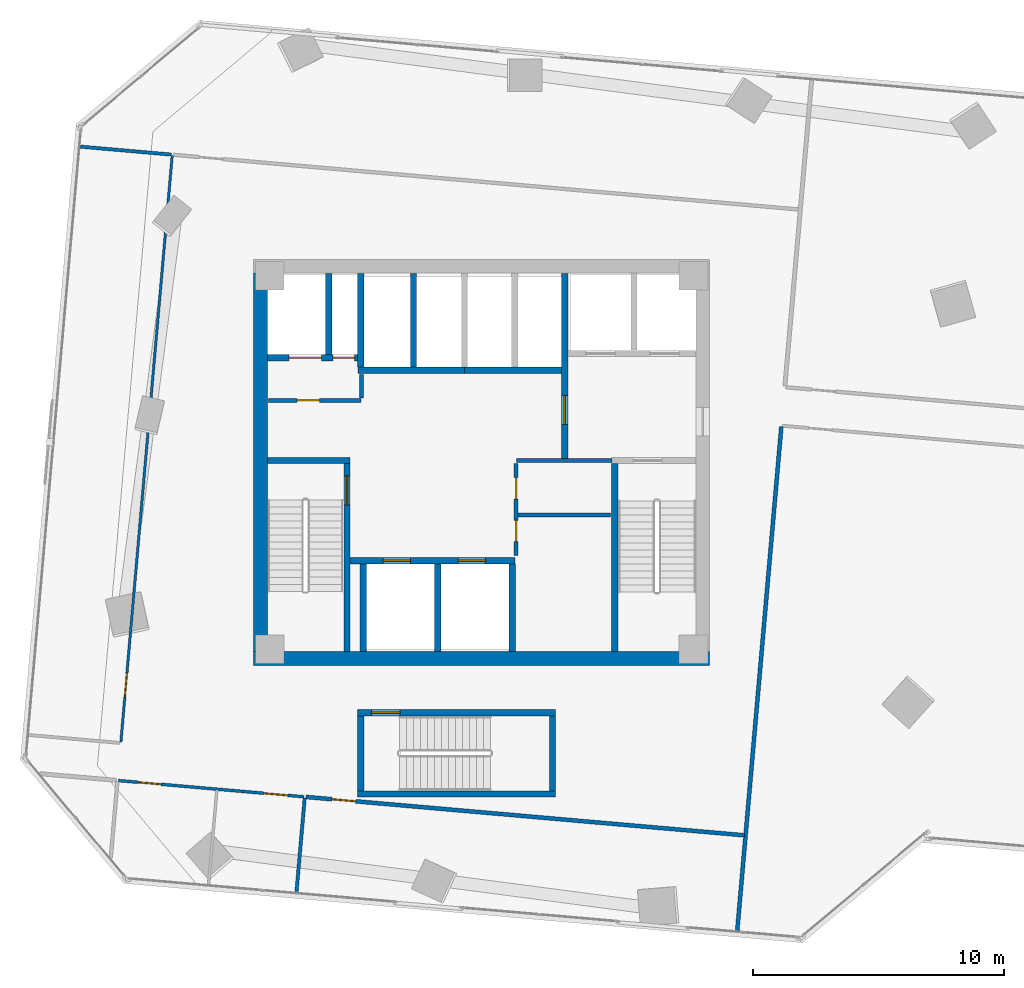
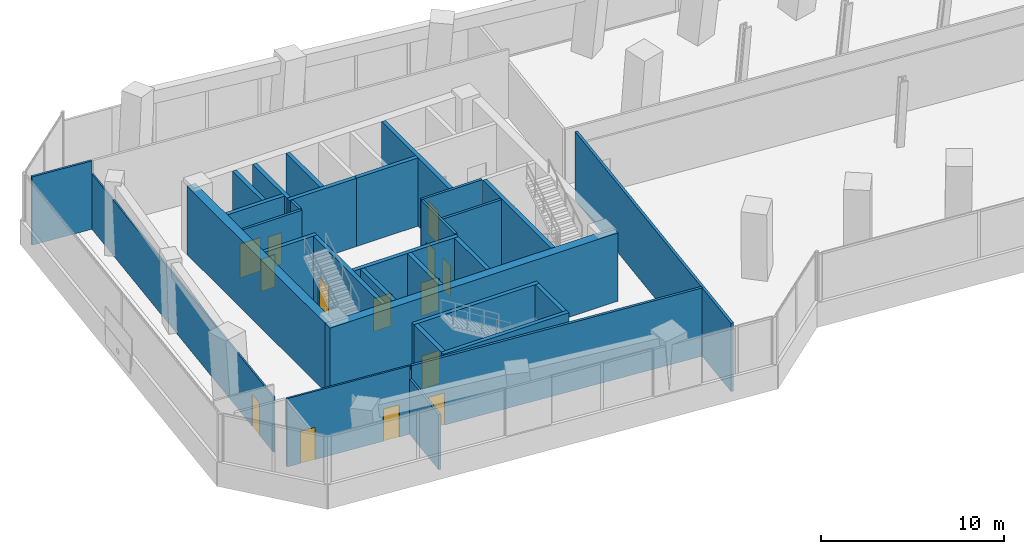
# One storey, part 19 of 23: 31 walls, 14 doors, 14 openings.
"""IFC4 building model written with IfcOpenShell, lengths in metres."""

import ifcopenshell
import ifcopenshell.guid

model = None  # the IFC model being written
_history = None  # IfcOwnerHistory: only IFC2X3 demands one
_inside = {}  # id of a spatial element -> (the spatial element, [elements in it])
_under = {}  # id of a project, library or spatial element -> (it, [spatial elements below it])
_declared = {}  # id of a project -> (the project, [libraries it declares])
_typed = {}  # id of a type object -> (the type object, [elements of that type])
_made_of = {}  # id of a material, layer set ... -> (it, [elements and type objects made of it])


def new_model(schema):
    """Start an empty IFC model of exactly this schema.

    Asked for "IFC4X3", IfcOpenShell would pick the latest addendum, in which some entities
    have other attributes; the version numbers below select the first issue.
    IFC2X3 requires an IfcOwnerHistory on every rooted entity: one is made here for all.
    """
    global model, _history
    if schema == "IFC4X3":
        model = ifcopenshell.file(schema_version=(4, 3, 0, 0))
    else:
        model = ifcopenshell.file(schema=schema)
    _inside.clear()
    _under.clear()
    _declared.clear()
    _typed.clear()
    _made_of.clear()
    _history = None
    if model.schema == "IFC2X3":
        org = make("IfcOrganization", Name="unknown")
        user = make(
            "IfcPersonAndOrganization",
            ThePerson=make("IfcPerson", FamilyName="unknown"),
            TheOrganization=org,
        )
        app = make(
            "IfcApplication",
            ApplicationDeveloper=org,
            Version="unknown",
            ApplicationFullName="unknown",
            ApplicationIdentifier="unknown",
        )
        _history = make(
            "IfcOwnerHistory",
            OwningUser=user,
            OwningApplication=app,
            ChangeAction="ADDED",
            CreationDate=0,
        )
    return model


def make(cls, **values):
    """One entity of the class cls with the attributes given. An attribute that is None is left unset."""
    return model.create_entity(
        cls, **{name: value for name, value in values.items() if value is not None}
    )


def rooted(cls, **values):
    """An entity with a GlobalId (a new one), such as an element, a storey or a relation."""
    return make(cls, GlobalId=ifcopenshell.guid.new(), OwnerHistory=_history, **values)


def si_unit(unit_type, name, prefix=None):
    """IfcSIUnit, for example si_unit("LENGTHUNIT", "METRE", prefix="MILLI")."""
    return make("IfcSIUnit", UnitType=unit_type, Prefix=prefix, Name=name)


def assignment(units):
    """IfcUnitAssignment: the units of a project."""
    return None if units is None else make("IfcUnitAssignment", Units=units)


def point(xyz):
    """IfcCartesianPoint."""
    return None if xyz is None else make("IfcCartesianPoint", Coordinates=xyz)


def direction(xyz):
    """IfcDirection."""
    return None if xyz is None else make("IfcDirection", DirectionRatios=xyz)


def frame(location, z_axis=None, x_axis=None):
    """IfcAxis2Placement3D, a coordinate frame: its origin and axes. An axis left out is left unset."""
    return make(
        "IfcAxis2Placement3D",
        Location=point(location),
        Axis=direction(z_axis),
        RefDirection=direction(x_axis),
    )


def frame_2d(location, x_axis=None):
    """IfcAxis2Placement2D, a coordinate frame in the plane: its origin and x axis."""
    return make(
        "IfcAxis2Placement2D", Location=point(location), RefDirection=direction(x_axis)
    )


def origin():
    """The frame at (0, 0, 0) with its axes left unset."""
    return frame((0.0, 0.0, 0.0))


def place(relative_to, where):
    """IfcLocalPlacement: puts the frame where relative to a parent placement (None: the world)."""
    return make(
        "IfcLocalPlacement", PlacementRelTo=relative_to, RelativePlacement=where
    )


def context(
    kind, dimensions, precision=None, world=None, true_north=None, identifier=None
):
    """IfcGeometricRepresentationContext, for example the 3D "Model" context."""
    return make(
        "IfcGeometricRepresentationContext",
        ContextIdentifier=identifier,
        ContextType=kind,
        CoordinateSpaceDimension=dimensions,
        Precision=precision,
        WorldCoordinateSystem=world,
        TrueNorth=true_north,
    )


def subcontext(parent, identifier, kind, view, scale=None):
    """IfcGeometricRepresentationSubContext, for example "Body" below "Model"."""
    return make(
        "IfcGeometricRepresentationSubContext",
        ContextIdentifier=identifier,
        ContextType=kind,
        ParentContext=parent,
        TargetScale=scale,
        TargetView=view,
    )


def project(units=None, contexts=None):
    """IfcProject with its units and contexts."""
    return rooted(
        "IfcProject",
        Name="project",
        RepresentationContexts=contexts,
        UnitsInContext=assignment(units),
    )


def spatial(cls, under=None, at=None, **own):
    """A site, building, storey or space (cls), placed at a placement, below another one or the project."""
    s = rooted(cls, ObjectPlacement=at, **own)
    if under is not None:
        _under.setdefault(under.id(), (under, []))[1].append(s)
    return s


def profile(cls, at=None, kind="AREA", **sizes):
    """A parametric profile (cls). Its sizes go by their IFC names, for example OverallWidth=200.0."""
    return make(cls, ProfileType=kind, Position=at, **sizes)


def rectangle(**sizes):
    """IfcRectangleProfileDef."""
    return profile("IfcRectangleProfileDef", **sizes)


def extrude(swept, where, along, depth):
    """IfcExtrudedAreaSolid: the profile swept, set in the frame where, extruded along a direction by depth."""
    return make(
        "IfcExtrudedAreaSolid",
        SweptArea=swept,
        Position=where,
        ExtrudedDirection=direction(along),
        Depth=depth,
    )


def shape(context_of_items, identifier, shape_type, items):
    """IfcShapeRepresentation: the items that make up one representation, for example the "Body"."""
    return make(
        "IfcShapeRepresentation",
        ContextOfItems=context_of_items,
        RepresentationIdentifier=identifier,
        RepresentationType=shape_type,
        Items=items,
    )


def source(mapping_origin, context_of_items, identifier, shape_type, items):
    """IfcRepresentationMap: a shape defined once, which mapped items show again and again."""
    return make(
        "IfcRepresentationMap",
        MappingOrigin=mapping_origin,
        MappedRepresentation=shape(context_of_items, identifier, shape_type, items),
    )


def transform(
    local_origin,
    x_axis=None,
    y_axis=None,
    z_axis=None,
    scale=None,
    scale2=None,
    scale3=None,
    uniform=True,
):
    """IfcCartesianTransformationOperator3D, or its non-uniform kind. x_axis, y_axis, z_axis: its Axis1, 2, 3."""
    if uniform:
        return make(
            "IfcCartesianTransformationOperator3D",
            Axis1=direction(x_axis),
            Axis2=direction(y_axis),
            LocalOrigin=point(local_origin),
            Scale=scale,
            Axis3=direction(z_axis),
        )
    return make(
        "IfcCartesianTransformationOperator3DnonUniform",
        Axis1=direction(x_axis),
        Axis2=direction(y_axis),
        LocalOrigin=point(local_origin),
        Scale=scale,
        Axis3=direction(z_axis),
        Scale2=scale2,
        Scale3=scale3,
    )


def mapped(mapping_source, mapping_target):
    """IfcMappedItem: shows the shape of a source again, moved by a transform."""
    return make(
        "IfcMappedItem", MappingSource=mapping_source, MappingTarget=mapping_target
    )


def material(Name=None, Category=None):
    """IfcMaterial."""
    return make("IfcMaterial", Name=Name, Category=Category)


def layer(
    of_material, thickness, ventilated=None, Name=None, Category=None, Priority=None
):
    """IfcMaterialLayer: one layer of a wall or slab, of a material (None: an air gap)."""
    return make(
        "IfcMaterialLayer",
        Material=of_material,
        LayerThickness=thickness,
        IsVentilated=ventilated,
        Name=Name,
        Category=Category,
        Priority=Priority,
    )


def layer_set(layers, Name=None):
    """IfcMaterialLayerSet."""
    return make("IfcMaterialLayerSet", MaterialLayers=layers, LayerSetName=Name)


def made_of(thing, what):
    """Note that an element or type object is made of a material, layer set ...; save() writes the relation."""
    if what is not None:
        _made_of.setdefault(what.id(), (what, []))[1].append(thing)
    return thing


def type_object(cls, material=None, **own):
    """A type object (cls), such as IfcWallType, which elements share."""
    return made_of(rooted(cls, **own), material)


def element(
    cls,
    number,
    at=None,
    inside=None,
    cuts=None,
    type_object=None,
    material=None,
    context=None,
    identifier="Body",
    shape_type=None,
    held_by="IfcProductDefinitionShape",
    body=None,
    shapes=None,
    **own,
):
    """One element of the class cls, such as IfcWall. Its Tag is "e" and its number.

    at: its placement. inside: the storey or other place that contains it. cuts: it is an
    opening in that element (IfcRelVoidsElement). A single representation is given by context,
    identifier, shape_type and body (its items); several are given by shapes. held_by: the class
    of the entity that holds the representations. save() writes the other relations.
    """
    e = rooted(cls, Tag="e%d" % number, ObjectPlacement=at, **own)
    if body is not None:
        shapes = [shape(context, identifier, shape_type, body)]
    if shapes is not None:
        e.Representation = make(held_by, Representations=shapes)
    if inside is not None:
        _inside.setdefault(inside.id(), (inside, []))[1].append(e)
    if cuts is not None:
        rooted(
            "IfcRelVoidsElement", RelatingBuildingElement=cuts, RelatedOpeningElement=e
        )
    if type_object is not None:
        _typed.setdefault(type_object.id(), (type_object, []))[1].append(e)
    return made_of(e, material)


def fill(opening, filler):
    """IfcRelFillsElement: the door or window that sits in an opening."""
    return rooted(
        "IfcRelFillsElement",
        RelatingOpeningElement=opening,
        RelatedBuildingElement=filler,
    )


def aggregate(whole, parts):
    """IfcRelAggregates: a whole, such as a stair, and the parts it consists of."""
    return rooted("IfcRelAggregates", RelatingObject=whole, RelatedObjects=parts)


def save(model, path):
    """Write the relations noted so far, then the file.

    IfcRelAggregates (storeys below a building ...), IfcRelContainedInSpatialStructure (elements
    in a storey), IfcRelDefinesByType, IfcRelAssociatesMaterial and IfcRelDeclares: one each for
    every whole, place, type object, material and project.
    """
    for whole, parts in _under.values():
        aggregate(whole, parts)
    for where, things in _inside.values():
        rooted(
            "IfcRelContainedInSpatialStructure",
            RelatedElements=things,
            RelatingStructure=where,
        )
    for kind, things in _typed.values():
        rooted("IfcRelDefinesByType", RelatedObjects=things, RelatingType=kind)
    for what, things in _made_of.values():
        rooted("IfcRelAssociatesMaterial", RelatedObjects=things, RelatingMaterial=what)
    for by, libraries in _declared.values():
        rooted("IfcRelDeclares", RelatingContext=by, RelatedDefinitions=libraries)
    model.write(path)


model = new_model("IFC4")

# Units and contexts
model_context = context("Model", 3, precision=1e-05, world=origin(), true_north=direction((0.0, 1.0)))
body_context = subcontext(model_context, "Body", "Model", "MODEL_VIEW")
ifc_project = project(units=[si_unit("LENGTHUNIT", "METRE"), si_unit("AREAUNIT", "SQUARE_METRE"), si_unit("VOLUMEUNIT", "CUBIC_METRE"), si_unit("PLANEANGLEUNIT", "RADIAN"), si_unit("MASSUNIT", "GRAM", prefix="KILO")], contexts=[model_context])

# Site, building, storey
site_placement = place(None, origin())
site = spatial("IfcSite", under=ifc_project, at=site_placement, CompositionType="ELEMENT")
building_placement = place(site_placement, origin())
building = spatial("IfcBuilding", under=site, at=building_placement, Name="Torre Montelarca", CompositionType="ELEMENT")
storey_placement = place(building_placement, frame((0.0, 0.0, 56.800048828125)))
storey = spatial("IfcBuildingStorey", under=building, at=storey_placement, Name="L12", CompositionType="ELEMENT", Elevation=56.800048828125)

# Wall, opening, door
ifc_material_1 = material(Name="Concrete C40/50", Category="concrete")
ifc_layer_1 = layer(ifc_material_1, 0.25, Name="Concrete C40/50", Category="concrete")
ifc_layer_set_1 = layer_set([ifc_layer_1], Name="Concrete C40/50")
wall_type_1 = type_object("IfcWallType", Name="CW-SHAFT-250", PredefinedType="SHEAR", material=ifc_layer_set_1)
wall_1_placement = place(storey_placement, frame((12.625, 24.4599609375, 0.0), z_axis=(0.0, 0.0, 1.0), x_axis=(0.0, 1.0, 0.0)))
wall_1 = element("IfcWall", 1, at=wall_1_placement, inside=storey, type_object=wall_type_1, Name="L12 Core Shear Wall SH-ST1-E", PredefinedType="SHEAR", context=body_context, shape_type="SweptSolid", body=[
    extrude(rectangle(XDim=7.489990234375, YDim=0.25, at=frame_2d((3.7451171875, 0.0))), origin(), (0.0, 0.0, 1.0), 4.56005859375),
])
opening_1_placement = place(wall_1_placement, frame((5.85009765625, 0.0, 0.0)))
opening_1 = element("IfcOpeningElement", 2, at=opening_1_placement, cuts=wall_1, Name="Opening FD-ST1", PredefinedType="OPENING", context=body_context, shape_type="SweptSolid", body=[
    extrude(rectangle(XDim=1.14990234375, YDim=2.199951171875, at=frame_2d((0.574951171875, 1.10009765625))), frame((0.0, 0.135009765625, 0.0), z_axis=(0.0, -1.0, 0.0), x_axis=(1.0, 0.0, 0.0)), (0.0, 0.0, 1.0), 0.27001953125),
])
ifc_material_2 = material(Name="Galvanized steel fire door", Category="steel")
door_type_1 = type_object("IfcDoorType", Name="DR-STAIR-115", OperationType="NOTDEFINED", PredefinedType="DOOR", material=ifc_material_2)
shared_shape_1 = source(origin(), body_context, "Body", "SweptSolid", [
    extrude(rectangle(XDim=1.14990234375, YDim=2.199951171875, at=frame_2d((0.574951171875, 1.10009765625))), frame((0.0, 0.02490234375, 0.0), z_axis=(0.0, -1.0, 0.0), x_axis=(1.0, 0.0, 0.0)), (0.0, 0.0, 1.0), 0.050048828125),
])
door_1_placement = place(opening_1_placement, origin())
door_1 = element("IfcDoor", 3, at=door_1_placement, inside=storey, type_object=door_type_1, Name="L12 Exit Stair ST1 Fire Door", OperationType="SINGLE_SWING_RIGHT", OverallHeight=2.199951171875, OverallWidth=1.14990234375, PredefinedType="DOOR", context=body_context, shape_type="MappedRepresentation", body=[
    mapped(shared_shape_1, transform((0.0, 0.0, 0.0), scale=1.0)),
])
fill(opening_1, door_1)

# Walls
wall_2_placement = place(storey_placement, frame((9.4599609375, 32.074951171875, 0.0), z_axis=(0.0, 0.0, 1.0), x_axis=(1.0, 0.0, 0.0)))
element("IfcWall", 4, at=wall_2_placement, inside=storey, type_object=wall_type_1, Name="L12 Core Shear Wall SH-ST1-N", PredefinedType="SHEAR", context=body_context, shape_type="SweptSolid", body=[
    extrude(rectangle(XDim=3.2900390625, YDim=0.25, at=frame_2d((1.64501953125, 0.0))), origin(), (0.0, 0.0, 1.0), 4.56005859375),
])
wall_3_placement = place(storey_placement, frame((23.31494140625, 24.4599609375, 0.0), z_axis=(0.0, 0.0, 1.0), x_axis=(0.0, 1.0, 0.0)))
element("IfcWall", 5, at=wall_3_placement, inside=storey, type_object=wall_type_1, Name="L12 Core Shear Wall SH-ST2-W", PredefinedType="SHEAR", context=body_context, shape_type="SweptSolid", body=[
    extrude(rectangle(XDim=7.489990234375, YDim=0.25, at=frame_2d((3.7451171875, 0.0))), origin(), (0.0, 0.0, 1.0), 4.56005859375),
])

# Wall, opening, door
wall_4_placement = place(storey_placement, frame((21.320068359375, 32.1201171875, 0.0), z_axis=(0.0, 0.0, 1.0), x_axis=(0.0, 1.0, 0.0)))
wall_4 = element("IfcWall", 6, at=wall_4_placement, inside=storey, type_object=wall_type_1, Name="L12 Core Shear Wall SH-FFL-W", PredefinedType="SHEAR", context=body_context, shape_type="SweptSolid", body=[
    extrude(rectangle(XDim=7.419921875, YDim=0.25, at=frame_2d((3.7099609375, 0.0))), origin(), (0.0, 0.0, 1.0), 4.56005859375),
])
opening_2_placement = place(wall_4_placement, frame((1.39990234375, 0.0, 0.0)))
opening_2 = element("IfcOpeningElement", 7, at=opening_2_placement, cuts=wall_4, Name="Opening FD-LB1", PredefinedType="OPENING", context=body_context, shape_type="SweptSolid", body=[
    extrude(rectangle(XDim=1.14990234375, YDim=2.199951171875, at=frame_2d((0.574951171875, 1.10009765625))), frame((0.0, 0.135009765625, 0.0), z_axis=(0.0, -1.0, 0.0), x_axis=(1.0, 0.0, 0.0)), (0.0, 0.0, 1.0), 0.27001953125),
])
ifc_material_3 = material(Name="Acoustic timber-veneered fire door", Category="wood")
door_type_2 = type_object("IfcDoorType", Name="DR-LOBBY-115", OperationType="NOTDEFINED", PredefinedType="DOOR", material=ifc_material_3)
shared_shape_2 = source(origin(), body_context, "Body", "SweptSolid", [
    extrude(rectangle(XDim=1.14990234375, YDim=2.199951171875, at=frame_2d((0.574951171875, 1.10009765625))), frame((0.0, 0.02490234375, 0.0), z_axis=(0.0, -1.0, 0.0), x_axis=(1.0, 0.0, 0.0)), (0.0, 0.0, 1.0), 0.050048828125),
])
door_2_placement = place(opening_2_placement, origin())
door_2 = element("IfcDoor", 8, at=door_2_placement, inside=storey, type_object=door_type_2, Name="L12 Lift Lobby to Firefighting Lobby Smoke Door", OperationType="SINGLE_SWING_LEFT", OverallHeight=2.199951171875, OverallWidth=1.14990234375, PredefinedType="DOOR", context=body_context, shape_type="MappedRepresentation", body=[
    mapped(shared_shape_2, transform((0.0, 0.0, 0.0), scale=1.0)),
])
fill(opening_2, door_2)

# Wall, openings, doors
wall_5_placement = place(storey_placement, frame((9.4599609375, 36.179931640625, 0.0), z_axis=(0.0, 0.0, 1.0), x_axis=(1.0, 0.0, 0.0)))
wall_5 = element("IfcWall", 9, at=wall_5_placement, inside=storey, type_object=wall_type_1, Name="L12 Core Shear Wall SH-SV1-S", PredefinedType="SHEAR", context=body_context, shape_type="SweptSolid", body=[
    extrude(rectangle(XDim=3.7900390625, YDim=0.25, at=frame_2d((1.89501953125, 0.0))), origin(), (0.0, 0.0, 1.0), 4.56005859375),
])
opening_3_placement = place(wall_5_placement, frame((2.6201171875, 0.0, 0.0)))
opening_3 = element("IfcOpeningElement", 10, at=opening_3_placement, cuts=wall_5, Name="Opening FD-085", PredefinedType="OPENING", context=body_context, shape_type="SweptSolid", body=[
    extrude(rectangle(XDim=0.85009765625, YDim=2.10009765625, at=frame_2d((0.425048828125, 1.050048828125))), frame((0.0, 0.135009765625, 0.0), z_axis=(0.0, -1.0, 0.0), x_axis=(1.0, 0.0, 0.0)), (0.0, 0.0, 1.0), 0.27001953125),
])
opening_4_placement = place(wall_5_placement, frame((0.85009765625, 0.0, 0.0)))
opening_4 = element("IfcOpeningElement", 11, at=opening_4_placement, cuts=wall_5, Name="Opening LD-130", PredefinedType="OPENING", context=body_context, shape_type="SweptSolid", body=[
    extrude(rectangle(XDim=1.300048828125, YDim=2.25, at=frame_2d((0.64990234375, 1.125))), frame((0.0, 0.135009765625, 0.0), z_axis=(0.0, -1.0, 0.0), x_axis=(1.0, 0.0, 0.0)), (0.0, 0.0, 1.0), 0.27001953125),
])
ifc_material_4 = material(Name="Steel riser access fire door", Category="steel")
door_type_3 = type_object("IfcDoorType", Name="DR-RISER-085", OperationType="NOTDEFINED", PredefinedType="DOOR", material=ifc_material_4)
shared_shape_3 = source(origin(), body_context, "Body", "SweptSolid", [
    extrude(rectangle(XDim=0.85009765625, YDim=2.10009765625, at=frame_2d((0.425048828125, 1.050048828125))), frame((0.0, 0.02490234375, 0.0), z_axis=(0.0, -1.0, 0.0), x_axis=(1.0, 0.0, 0.0)), (0.0, 0.0, 1.0), 0.050048828125),
])
door_3_placement = place(opening_3_placement, origin())
door_3 = element("IfcDoor", 12, at=door_3_placement, inside=storey, type_object=door_type_3, Name="L12 Electrical Riser Shaft Access Door", OperationType="SINGLE_SWING_RIGHT", OverallHeight=2.10009765625, OverallWidth=0.85009765625, PredefinedType="DOOR", context=body_context, shape_type="MappedRepresentation", body=[
    mapped(shared_shape_3, transform((0.0, 0.0, 0.0), scale=1.0)),
])
fill(opening_3, door_3)
ifc_material_5 = material(Name="Brushed stainless steel AISI 316", Category="steel")
door_type_4 = type_object("IfcDoorType", Name="DR-LIFT-130", OperationType="SLIDING_TO_LEFT", PredefinedType="DOOR", material=ifc_material_5)
shared_shape_4 = source(origin(), body_context, "Body", "SweptSolid", [
    extrude(rectangle(XDim=1.300048828125, YDim=2.25, at=frame_2d((0.64990234375, 1.125))), frame((0.0, 0.02490234375, 0.0), z_axis=(0.0, -1.0, 0.0), x_axis=(1.0, 0.0, 0.0)), (0.0, 0.0, 1.0), 0.050048828125),
])
door_4_placement = place(opening_4_placement, origin())
door_4 = element("IfcDoor", 13, at=door_4_placement, inside=storey, type_object=door_type_4, Name="L12 Lift Landing Sliding Door SV-1", OperationType="SLIDING_TO_LEFT", OverallHeight=2.25, OverallWidth=1.300048828125, PredefinedType="DOOR", context=body_context, shape_type="MappedRepresentation", body=[
    mapped(shared_shape_4, transform((0.0, 0.0, 0.0), scale=1.0)),
])
fill(opening_4, door_4)

# Wall
wall_6_placement = place(storey_placement, frame((11.89990234375, 36.31005859375, 0.0), z_axis=(0.0, 0.0, 1.0), x_axis=(0.0, 1.0, 0.0)))
element("IfcWall", 14, at=wall_6_placement, inside=storey, type_object=wall_type_1, Name="L12 Core Shear Wall SH-SV1-E", PredefinedType="SHEAR", context=body_context, shape_type="SweptSolid", body=[
    extrude(rectangle(XDim=3.22998046875, YDim=0.25, at=frame_2d((1.614990234375, 0.0))), origin(), (0.0, 0.0, 1.0), 4.56005859375),
])

# Wall, openings, doors
wall_7_placement = place(storey_placement, frame((12.6298828125, 28.080078125, 0.0), z_axis=(0.0, 0.0, 1.0), x_axis=(1.0, 0.0, 0.0)))
wall_7 = element("IfcWall", 15, at=wall_7_placement, inside=storey, type_object=wall_type_1, Name="L12 Core Shear Wall SH-PLL-N", PredefinedType="SHEAR", context=body_context, shape_type="SweptSolid", body=[
    extrude(rectangle(XDim=6.710205078125, YDim=0.25, at=frame_2d((3.35498046875, 0.0))), origin(), (0.0, 0.0, 1.0), 4.56005859375),
])
opening_5_placement = place(wall_7_placement, frame((1.429931640625, 0.0, 0.0)))
opening_5 = element("IfcOpeningElement", 16, at=opening_5_placement, cuts=wall_7, Name="Opening LD-110", PredefinedType="OPENING", context=body_context, shape_type="SweptSolid", body=[
    extrude(rectangle(XDim=1.10009765625, YDim=2.199951171875, at=frame_2d((0.550048828125, 1.10009765625))), frame((0.0, 0.135009765625, 0.0), z_axis=(0.0, -1.0, 0.0), x_axis=(1.0, 0.0, 0.0)), (0.0, 0.0, 1.0), 0.27001953125),
])
opening_6_placement = place(wall_7_placement, frame((4.429931640625, 0.0, 0.0)))
opening_6 = element("IfcOpeningElement", 17, at=opening_6_placement, cuts=wall_7, Name="Opening LD-110", PredefinedType="OPENING", context=body_context, shape_type="SweptSolid", body=[
    extrude(rectangle(XDim=1.10009765625, YDim=2.199951171875, at=frame_2d((0.550048828125, 1.10009765625))), frame((0.0, 0.135009765625, 0.0), z_axis=(0.0, -1.0, 0.0), x_axis=(1.0, 0.0, 0.0)), (0.0, 0.0, 1.0), 0.27001953125),
])
door_type_5 = type_object("IfcDoorType", Name="DR-LIFT-110", OperationType="SLIDING_TO_LEFT", PredefinedType="DOOR", material=ifc_material_5)
shared_shape_5 = source(origin(), body_context, "Body", "SweptSolid", [
    extrude(rectangle(XDim=1.10009765625, YDim=2.199951171875, at=frame_2d((0.550048828125, 1.10009765625))), frame((0.0, 0.02490234375, 0.0), z_axis=(0.0, -1.0, 0.0), x_axis=(1.0, 0.0, 0.0)), (0.0, 0.0, 1.0), 0.050048828125),
])
door_5_placement = place(opening_5_placement, origin())
door_5 = element("IfcDoor", 18, at=door_5_placement, inside=storey, type_object=door_type_5, Name="L12 Lift Landing Sliding Door PL-L1", OperationType="SLIDING_TO_LEFT", OverallHeight=2.199951171875, OverallWidth=1.10009765625, PredefinedType="DOOR", context=body_context, shape_type="MappedRepresentation", body=[
    mapped(shared_shape_5, transform((0.0, 0.0, 0.0), scale=1.0)),
])
fill(opening_5, door_5)
door_6_placement = place(opening_6_placement, origin())
door_6 = element("IfcDoor", 19, at=door_6_placement, inside=storey, type_object=door_type_5, Name="L12 Lift Landing Sliding Door PL-L2", OperationType="SLIDING_TO_RIGHT", OverallHeight=2.199951171875, OverallWidth=1.10009765625, PredefinedType="DOOR", context=body_context, shape_type="MappedRepresentation", body=[
    mapped(shared_shape_5, transform((0.0, 0.0, 0.0), scale=1.0)),
])
fill(opening_6, door_6)

# Walls
for number, where, z_axis, x_axis, name in (
    (20, (13.280029296875, 24.4599609375, 0.0), (0.0, 0.0, 1.0), (0.0, 1.0, 0.0), "L12 Core Shear Wall SH-PLL-W"),
    (21, (16.25, 24.4599609375, 0.0), (0.0, 0.0, 1.0), (0.0, 1.0, 0.0), "L12 Core Shear Wall SH-PLL-M"),
    (22, (19.219970703125, 24.4599609375, 0.0), (0.0, 0.0, 1.0), (0.0, 1.0, 0.0), "L12 Core Shear Wall SH-PLL-E"),
):
    element("IfcWall", number, at=place(storey_placement, frame(where, z_axis=z_axis, x_axis=x_axis)), inside=storey, type_object=wall_type_1, Name=name, PredefinedType="SHEAR", context=body_context, shape_type="SweptSolid", body=[
        extrude(rectangle(XDim=3.489990234375, YDim=0.25, at=frame_2d((1.7451171875, 0.0))), origin(), (0.0, 0.0, 1.0), 4.56005859375),
    ])
wall_8_placement = place(storey_placement, frame((13.06005859375, 35.679931640625, 0.0), z_axis=(0.0, 0.0, 1.0), x_axis=(1.0, 0.0, 0.0)))
element("IfcWall", 23, at=wall_8_placement, inside=storey, type_object=wall_type_1, Name="L12 Core Shear Wall SH-PLM-S", PredefinedType="SHEAR", context=body_context, shape_type="SweptSolid", body=[
    extrude(rectangle(XDim=4.25, YDim=0.25, at=frame_2d((2.125, 0.0))), origin(), (0.0, 0.0, 1.0), 4.56005859375),
])
for number, where, z_axis, x_axis, name in (
    (24, (13.179931640625, 35.81005859375, 0.0), (0.0, 0.0, 1.0), (0.0, 1.0, 0.0), "L12 Core Shear Wall SH-PLM-W"),
    (25, (15.280029296875, 35.81005859375, 0.0), (0.0, 0.0, 1.0), (0.0, 1.0, 0.0), "L12 Core Shear Wall SH-PLM-M"),
):
    element("IfcWall", number, at=place(storey_placement, frame(where, z_axis=z_axis, x_axis=x_axis)), inside=storey, type_object=wall_type_1, Name=name, PredefinedType="SHEAR", context=body_context, shape_type="SweptSolid", body=[
        extrude(rectangle(XDim=3.72998046875, YDim=0.25, at=frame_2d((1.864990234375, 0.0))), origin(), (0.0, 0.0, 1.0), 4.56005859375),
    ])
wall_9_placement = place(storey_placement, frame((17.320068359375, 35.679931640625, 0.0), z_axis=(0.0, 0.0, 1.0), x_axis=(1.0, 0.0, 0.0)))
element("IfcWall", 26, at=wall_9_placement, inside=storey, type_object=wall_type_1, Name="L12 Core Shear Wall SH-PLH-S", PredefinedType="SHEAR", context=body_context, shape_type="SweptSolid", body=[
    extrude(rectangle(XDim=3.869873046875, YDim=0.25, at=frame_2d((1.93505859375, 0.0))), origin(), (0.0, 0.0, 1.0), 4.56005859375),
])
for number, where, z_axis, x_axis, name in (
    (27, (13.175048828125, 18.89990234375, 0.0), (0.0, 0.0, 1.0), (0.0, 1.0, 0.0), "L12 Core Shear Wall SH-ST3-W"),
    (28, (20.824951171875, 18.89990234375, 0.0), (0.0, 0.0, 1.0), (0.0, 1.0, 0.0), "L12 Core Shear Wall SH-ST3-E"),
):
    element("IfcWall", number, at=place(storey_placement, frame(where, z_axis=z_axis, x_axis=x_axis)), inside=storey, type_object=wall_type_1, Name=name, PredefinedType="SHEAR", context=body_context, shape_type="SweptSolid", body=[
        extrude(rectangle(XDim=2.989990234375, YDim=0.25, at=frame_2d((1.4951171875, 0.0))), origin(), (0.0, 0.0, 1.0), 4.56005859375),
    ])
wall_10_placement = place(storey_placement, frame((13.050048828125, 18.77490234375, 0.0), z_axis=(0.0, 0.0, 1.0), x_axis=(1.0, 0.0, 0.0)))
element("IfcWall", 29, at=wall_10_placement, inside=storey, type_object=wall_type_1, Name="L12 Core Shear Wall SH-ST3-S", PredefinedType="SHEAR", context=body_context, shape_type="SweptSolid", body=[
    extrude(rectangle(XDim=7.89990234375, YDim=0.25, at=frame_2d((3.949951171875, 0.0))), origin(), (0.0, 0.0, 1.0), 4.56005859375),
])

# Wall, opening, door
wall_11_placement = place(storey_placement, frame((13.050048828125, 22.014892578125, 0.0), z_axis=(0.0, 0.0, 1.0), x_axis=(1.0, 0.0, 0.0)))
wall_11 = element("IfcWall", 30, at=wall_11_placement, inside=storey, type_object=wall_type_1, Name="L12 Core Shear Wall SH-ST3-N", PredefinedType="SHEAR", context=body_context, shape_type="SweptSolid", body=[
    extrude(rectangle(XDim=7.89990234375, YDim=0.25, at=frame_2d((3.949951171875, 0.0))), origin(), (0.0, 0.0, 1.0), 4.56005859375),
])
opening_7_placement = place(wall_11_placement, frame((0.550048828125, 0.0, 0.0)))
opening_7 = element("IfcOpeningElement", 31, at=opening_7_placement, cuts=wall_11, Name="Opening FD-ST1", PredefinedType="OPENING", context=body_context, shape_type="SweptSolid", body=[
    extrude(rectangle(XDim=1.14990234375, YDim=2.199951171875, at=frame_2d((0.574951171875, 1.10009765625))), frame((0.0, 0.135009765625, 0.0), z_axis=(0.0, -1.0, 0.0), x_axis=(1.0, 0.0, 0.0)), (0.0, 0.0, 1.0), 0.27001953125),
])
door_7_placement = place(opening_7_placement, origin())
door_7 = element("IfcDoor", 32, at=door_7_placement, inside=storey, type_object=door_type_1, Name="L12 Exit Stair ST3 Fire Door", OperationType="SINGLE_SWING_LEFT", OverallHeight=2.199951171875, OverallWidth=1.14990234375, PredefinedType="DOOR", context=body_context, shape_type="MappedRepresentation", body=[
    mapped(shared_shape_1, transform((0.0, 0.0, 0.0), scale=1.0)),
])
fill(opening_7, door_7)

# Walls
ifc_material_6 = material(Name="Concrete C70/85", Category="concrete")
ifc_layer_2 = layer(ifc_material_6, 0.550048828125, Name="Concrete C70/85", Category="concrete")
ifc_layer_set_2 = layer_set([ifc_layer_2], Name="Concrete C70/85")
wall_type_2 = type_object("IfcWallType", Name="CW-SHEAR-550", PredefinedType="SHEAR", material=ifc_layer_set_2)
wall_12_placement = place(storey_placement, frame((9.175048828125, 24.449951171875, 0.0), z_axis=(0.0, 0.0, 1.0), x_axis=(0.0, 1.0, 0.0)))
element("IfcWall", 33, at=wall_12_placement, inside=storey, type_object=wall_type_2, Name="L12 Core Shear Wall CW-W", PredefinedType="SHEAR", context=body_context, shape_type="SweptSolid", body=[
    extrude(rectangle(XDim=15.10009765625, YDim=0.550048828125, at=frame_2d((7.550048828125, 0.0))), origin(), (0.0, 0.0, 1.0), 4.56005859375),
])
wall_13_placement = place(storey_placement, frame((8.89990234375, 24.175048828125, 0.0), z_axis=(0.0, 0.0, 1.0), x_axis=(1.0, 0.0, 0.0)))
element("IfcWall", 34, at=wall_13_placement, inside=storey, type_object=wall_type_2, Name="L12 Core Shear Wall CW-S1", PredefinedType="SHEAR", context=body_context, shape_type="SweptSolid", body=[
    extrude(rectangle(XDim=18.2001953125, YDim=0.550048828125, at=frame_2d((9.10009765625, 0.0))), origin(), (0.0, 0.0, 1.0), 4.56005859375),
])

# Wall, opening, door
ifc_material_7 = material(Name="Gypsum plasterboard on steel stud", Category="steel")
ifc_layer_3 = layer(ifc_material_7, 0.159912109375, Name="Gypsum plasterboard on steel stud", Category="steel")
ifc_layer_set_3 = layer_set([ifc_layer_3], Name="Gypsum plasterboard on steel stud")
wall_type_3 = type_object("IfcWallType", Name="PW-FIRE-160", PredefinedType="PARTITIONING", material=ifc_layer_set_3)
wall_14_placement = place(storey_placement, frame((9.489990234375, 34.47998046875, 0.0), z_axis=(0.0, 0.0, 1.0), x_axis=(1.0, 0.0, 0.0)))
wall_14 = element("IfcWall", 35, at=wall_14_placement, inside=storey, type_object=wall_type_3, Name="L12 Interior Partition CW-L12-SVS", PredefinedType="PARTITIONING", context=body_context, shape_type="SweptSolid", body=[
    extrude(rectangle(XDim=3.699951171875, YDim=0.159912109375, at=frame_2d((1.85009765625, 0.0))), origin(), (0.0, 0.0, 1.0), 4.56005859375),
])
opening_8_placement = place(wall_14_placement, frame((1.14990234375, 0.0, 0.0)))
opening_8 = element("IfcOpeningElement", 36, at=opening_8_placement, cuts=wall_14, Name="Opening FD-090", PredefinedType="OPENING", context=body_context, shape_type="SweptSolid", body=[
    extrude(rectangle(XDim=0.89990234375, YDim=2.14990234375, at=frame_2d((0.449951171875, 1.074951171875))), frame((0.0, 0.08984375, 0.0), z_axis=(0.0, -1.0, 0.0), x_axis=(1.0, 0.0, 0.0)), (0.0, 0.0, 1.0), 0.179931640625),
])
ifc_material_8 = material(Name="Steel service fire door", Category="steel")
door_type_6 = type_object("IfcDoorType", Name="DR-FIRE-090", OperationType="NOTDEFINED", PredefinedType="DOOR", material=ifc_material_8)
shared_shape_6 = source(origin(), body_context, "Body", "SweptSolid", [
    extrude(rectangle(XDim=0.89990234375, YDim=2.14990234375, at=frame_2d((0.449951171875, 1.074951171875))), frame((0.0, 0.02490234375, 0.0), z_axis=(0.0, -1.0, 0.0), x_axis=(1.0, 0.0, 0.0)), (0.0, 0.0, 1.0), 0.050048828125),
])
door_8_placement = place(opening_8_placement, origin())
door_8 = element("IfcDoor", 37, at=door_8_placement, inside=storey, type_object=door_type_6, Name="L12 Interior Door 01", OperationType="SINGLE_SWING_RIGHT", OverallHeight=2.14990234375, OverallWidth=0.89990234375, PredefinedType="DOOR", context=body_context, shape_type="MappedRepresentation", body=[
    mapped(shared_shape_6, transform((0.0, 0.0, 0.0), scale=1.0)),
])
fill(opening_8, door_8)

# Walls
wall_15_placement = place(storey_placement, frame((13.199951171875, 34.570068359375, 0.0), z_axis=(0.0, 0.0, 1.0), x_axis=(0.0, 1.0, 0.0)))
element("IfcWall", 38, at=wall_15_placement, inside=storey, type_object=wall_type_3, Name="L12 Interior Partition CW-L12-SVE", PredefinedType="PARTITIONING", context=body_context, shape_type="SweptSolid", body=[
    extrude(rectangle(XDim=0.93994140625, YDim=0.159912109375, at=frame_2d((0.469970703125, 0.0))), origin(), (0.0, 0.0, 1.0), 4.56005859375),
])
wall_16_placement = place(storey_placement, frame((19.389892578125, 32.080078125, 0.0), z_axis=(0.0, 0.0, 1.0), x_axis=(1.0, 0.0, 0.0)))
element("IfcWall", 39, at=wall_16_placement, inside=storey, type_object=wall_type_3, Name="L12 Interior Partition CW-L12-SEN", PredefinedType="PARTITIONING", context=body_context, shape_type="SweptSolid", body=[
    extrude(rectangle(XDim=3.820068359375, YDim=0.159912109375, at=frame_2d((1.91015625, 0.0))), origin(), (0.0, 0.0, 1.0), 4.56005859375),
])

# Wall, openings, doors
wall_17_placement = place(storey_placement, frame((19.3798828125, 28.2900390625, 0.0), z_axis=(0.0, 0.0, 1.0), x_axis=(0.0, 1.0, 0.0)))
wall_17 = element("IfcWall", 40, at=wall_17_placement, inside=storey, type_object=wall_type_3, Name="L12 Interior Partition CW-L12-SEW", PredefinedType="PARTITIONING", context=body_context, shape_type="SweptSolid", body=[
    extrude(rectangle(XDim=3.669921875, YDim=0.159912109375, at=frame_2d((1.8349609375, 0.0))), origin(), (0.0, 0.0, 1.0), 4.56005859375),
])
opening_9_placement = place(wall_17_placement, frame((0.550048828125, 0.0, 0.0)))
opening_9 = element("IfcOpeningElement", 41, at=opening_9_placement, cuts=wall_17, Name="Opening FD-085", PredefinedType="OPENING", context=body_context, shape_type="SweptSolid", body=[
    extrude(rectangle(XDim=0.85009765625, YDim=2.10009765625, at=frame_2d((0.425048828125, 1.050048828125))), frame((0.0, 0.08984375, 0.0), z_axis=(0.0, -1.0, 0.0), x_axis=(1.0, 0.0, 0.0)), (0.0, 0.0, 1.0), 0.179931640625),
])
opening_10_placement = place(wall_17_placement, frame((2.25, 0.0, 0.0)))
opening_10 = element("IfcOpeningElement", 42, at=opening_10_placement, cuts=wall_17, Name="Opening FD-085", PredefinedType="OPENING", context=body_context, shape_type="SweptSolid", body=[
    extrude(rectangle(XDim=0.85009765625, YDim=2.10009765625, at=frame_2d((0.425048828125, 1.050048828125))), frame((0.0, 0.08984375, 0.0), z_axis=(0.0, -1.0, 0.0), x_axis=(1.0, 0.0, 0.0)), (0.0, 0.0, 1.0), 0.179931640625),
])
door_9_placement = place(opening_9_placement, origin())
door_9 = element("IfcDoor", 43, at=door_9_placement, inside=storey, type_object=door_type_3, Name="L12 Interior Door 02", OperationType="SINGLE_SWING_LEFT", OverallHeight=2.10009765625, OverallWidth=0.85009765625, PredefinedType="DOOR", context=body_context, shape_type="MappedRepresentation", body=[
    mapped(shared_shape_3, transform((0.0, 0.0, 0.0), scale=1.0)),
])
fill(opening_9, door_9)
door_10_placement = place(opening_10_placement, origin())
door_10 = element("IfcDoor", 44, at=door_10_placement, inside=storey, type_object=door_type_3, Name="L12 Interior Door 03", OperationType="SINGLE_SWING_RIGHT", OverallHeight=2.10009765625, OverallWidth=0.85009765625, PredefinedType="DOOR", context=body_context, shape_type="MappedRepresentation", body=[
    mapped(shared_shape_3, transform((0.0, 0.0, 0.0), scale=1.0)),
])
fill(opening_10, door_10)

# Wall
wall_18_placement = place(storey_placement, frame((19.419921875, 29.89990234375, 0.0), z_axis=(0.0, 0.0, 1.0), x_axis=(1.0, 0.0, 0.0)))
element("IfcWall", 45, at=wall_18_placement, inside=storey, type_object=wall_type_3, Name="L12 Interior Partition CW-L12-SEM", PredefinedType="PARTITIONING", context=body_context, shape_type="SweptSolid", body=[
    extrude(rectangle(XDim=3.719970703125, YDim=0.159912109375, at=frame_2d((1.85986328125, 0.0))), origin(), (0.0, 0.0, 1.0), 4.56005859375),
])

# Wall, opening, door
wall_19_placement = place(storey_placement, frame((10.98681640625, 18.655517578125, 0.0), z_axis=(0.0, 0.0, 1.0), x_axis=(0.99619508988, -0.087151264471, 0.0)))
wall_19 = element("IfcWall", 46, at=wall_19_placement, inside=storey, type_object=wall_type_3, Name="L12 Interior Partition W-L12-SOCCN", PredefinedType="PARTITIONING", context=body_context, shape_type="SweptSolid", body=[
    extrude(rectangle(XDim=17.570068359375, YDim=0.159912109375, at=frame_2d((8.78515625, 0.0))), origin(), (0.0, 0.0, 1.0), 4.56005859375),
])
opening_11_placement = place(wall_19_placement, frame((1.050048828125, 0.0, 0.0)))
opening_11 = element("IfcOpeningElement", 47, at=opening_11_placement, cuts=wall_19, Name="Opening FD-095", PredefinedType="OPENING", context=body_context, shape_type="SweptSolid", body=[
    extrude(rectangle(XDim=0.949951171875, YDim=2.14990234375, at=frame_2d((0.47509765625, 1.074951171875))), frame((0.0, 0.08984375, 0.0), z_axis=(0.0, -1.0, 0.0), x_axis=(1.0, 0.0, 0.0)), (0.0, 0.0, 1.0), 0.179931640625),
])
ifc_material_9 = material(Name="Timber fire-rated room door", Category="wood")
door_type_7 = type_object("IfcDoorType", Name="DR-FIRE-095", OperationType="NOTDEFINED", PredefinedType="DOOR", material=ifc_material_9)
shared_shape_7 = source(origin(), body_context, "Body", "SweptSolid", [
    extrude(rectangle(XDim=0.949951171875, YDim=2.14990234375, at=frame_2d((0.47509765625, 1.074951171875))), frame((0.0, 0.02490234375, 0.0), z_axis=(0.0, -1.0, 0.0), x_axis=(1.0, 0.0, 0.0)), (0.0, 0.0, 1.0), 0.050048828125),
])
door_11_placement = place(opening_11_placement, origin())
door_11 = element("IfcDoor", 48, at=door_11_placement, inside=storey, type_object=door_type_7, Name="L12 Interior Door 06", OperationType="SINGLE_SWING_RIGHT", OverallHeight=2.14990234375, OverallWidth=0.949951171875, PredefinedType="DOOR", context=body_context, shape_type="MappedRepresentation", body=[
    mapped(shared_shape_7, transform((0.0, 0.0, 0.0), scale=1.0)),
])
fill(opening_11, door_11)

# Wall
wall_20_placement = place(storey_placement, frame((28.197998046875, 13.3251953125, 0.0), z_axis=(0.0, 0.0, 1.0), x_axis=(0.087154794008, 0.996194781095, 0.0)))
element("IfcWall", 49, at=wall_20_placement, inside=storey, type_object=wall_type_3, Name="L12 Interior Partition W-L12-ECS", PredefinedType="PARTITIONING", context=body_context, shape_type="SweptSolid", body=[
    extrude(rectangle(XDim=20.18017578125, YDim=0.159912109375, at=frame_2d((10.090087890625, 0.0))), origin(), (0.0, 0.0, 1.0), 4.56005859375),
])

# Wall, opening, door
ifc_material_10 = material(Name="Acoustic laminated glass partition", Category="glass")
ifc_layer_4 = layer(ifc_material_10, 0.10009765625, Name="Acoustic laminated glass partition", Category="glass")
ifc_layer_set_4 = layer_set([ifc_layer_4], Name="Acoustic laminated glass partition")
wall_type_4 = type_object("IfcWallType", Name="PW-GLAZ-100", PredefinedType="PARTITIONING", material=ifc_layer_set_4)
wall_21_placement = place(storey_placement, frame((3.60986328125, 20.8466796875, 0.0), z_axis=(0.0, 0.0, 1.0), x_axis=(0.087153664928, 0.996194879875, 0.0)))
wall_21 = element("IfcWall", 50, at=wall_21_placement, inside=storey, type_object=wall_type_4, Name="L12 Interior Partition W-L12-WWGE", PredefinedType="PARTITIONING", context=body_context, shape_type="SweptSolid", body=[
    extrude(rectangle(XDim=23.480224609375, YDim=0.10009765625, at=frame_2d((11.740234375, 0.0))), origin(), (0.0, 0.0, 1.0), 3.695068359375),
])
opening_12_placement = place(wall_21_placement, frame((1.800048828125, 0.0, 0.0)))
opening_12 = element("IfcOpeningElement", 51, at=opening_12_placement, cuts=wall_21, Name="Opening ID-095", PredefinedType="OPENING", context=body_context, shape_type="SweptSolid", body=[
    extrude(rectangle(XDim=0.949951171875, YDim=2.14990234375, at=frame_2d((0.47509765625, 1.074951171875))), frame((0.0, 0.06005859375, 0.0), z_axis=(0.0, -1.0, 0.0), x_axis=(1.0, 0.0, 0.0)), (0.0, 0.0, 1.0), 0.1201171875),
])
ifc_material_11 = material(Name="Hardwood acoustic timber veneer", Category="wood")
door_type_8 = type_object("IfcDoorType", Name="DR-INT-095", OperationType="NOTDEFINED", PredefinedType="DOOR", material=ifc_material_11)
shared_shape_8 = source(origin(), body_context, "Body", "SweptSolid", [
    extrude(rectangle(XDim=0.949951171875, YDim=2.14990234375, at=frame_2d((0.47509765625, 1.074951171875))), frame((0.0, 0.02490234375, 0.0), z_axis=(0.0, -1.0, 0.0), x_axis=(1.0, 0.0, 0.0)), (0.0, 0.0, 1.0), 0.050048828125),
])
door_12_placement = place(opening_12_placement, origin())
door_12 = element("IfcDoor", 52, at=door_12_placement, inside=storey, type_object=door_type_8, Name="L12 Interior Door 08", OperationType="SINGLE_SWING_LEFT", OverallHeight=2.14990234375, OverallWidth=0.949951171875, PredefinedType="DOOR", context=body_context, shape_type="MappedRepresentation", body=[
    mapped(shared_shape_8, transform((0.0, 0.0, 0.0), scale=1.0)),
])
fill(opening_12, door_12)

# Wall, openings, doors
ifc_layer_5 = layer(ifc_material_7, 0.114990234375, Name="Gypsum plasterboard on steel stud", Category="steel")
ifc_layer_set_5 = layer_set([ifc_layer_5], Name="Gypsum plasterboard on steel stud")
wall_type_5 = type_object("IfcWallType", Name="PW-PART-115", PredefinedType="PARTITIONING", material=ifc_layer_set_5)
wall_22_placement = place(storey_placement, frame((3.515380859375, 19.30908203125, 0.0), z_axis=(0.0, 0.0, 1.0), x_axis=(0.99619725236, -0.0871265424, 0.0)))
wall_22 = element("IfcWall", 53, at=wall_22_placement, inside=storey, type_object=wall_type_5, Name="L12 Interior Partition W-L12-WCN", PredefinedType="PARTITIONING", context=body_context, shape_type="SweptSolid", body=[
    extrude(rectangle(XDim=7.420166015625, YDim=0.114990234375, at=frame_2d((3.7099609375, 0.0))), origin(), (0.0, 0.0, 1.0), 4.56005859375),
])
opening_13_placement = place(wall_22_placement, frame((0.800048828125, 0.0, 0.0)))
opening_13 = element("IfcOpeningElement", 54, at=opening_13_placement, cuts=wall_22, Name="Opening ID-090", PredefinedType="OPENING", context=body_context, shape_type="SweptSolid", body=[
    extrude(rectangle(XDim=0.89990234375, YDim=2.14990234375, at=frame_2d((0.449951171875, 1.074951171875))), frame((0.0, 0.0673828125, 0.0), z_axis=(0.0, -1.0, 0.0), x_axis=(1.0, 0.0, 0.0)), (0.0, 0.0, 1.0), 0.135009765625),
])
opening_14_placement = place(wall_22_placement, frame((5.830078125, 0.0, 0.0)))
opening_14 = element("IfcOpeningElement", 55, at=opening_14_placement, cuts=wall_22, Name="Opening ID-095", PredefinedType="OPENING", context=body_context, shape_type="SweptSolid", body=[
    extrude(rectangle(XDim=0.949951171875, YDim=2.14990234375, at=frame_2d((0.47509765625, 1.074951171875))), frame((0.0, 0.0673828125, 0.0), z_axis=(0.0, -1.0, 0.0), x_axis=(1.0, 0.0, 0.0)), (0.0, 0.0, 1.0), 0.135009765625),
])
door_type_9 = type_object("IfcDoorType", Name="DR-INT-090", OperationType="NOTDEFINED", PredefinedType="DOOR", material=ifc_material_11)
shared_shape_9 = source(origin(), body_context, "Body", "SweptSolid", [
    extrude(rectangle(XDim=0.89990234375, YDim=2.14990234375, at=frame_2d((0.449951171875, 1.074951171875))), frame((0.0, 0.02490234375, 0.0), z_axis=(0.0, -1.0, 0.0), x_axis=(1.0, 0.0, 0.0)), (0.0, 0.0, 1.0), 0.050048828125),
])
door_13_placement = place(opening_13_placement, origin())
door_13 = element("IfcDoor", 56, at=door_13_placement, inside=storey, type_object=door_type_9, Name="L12 Interior Door 04", OperationType="SINGLE_SWING_LEFT", OverallHeight=2.14990234375, OverallWidth=0.89990234375, PredefinedType="DOOR", context=body_context, shape_type="MappedRepresentation", body=[
    mapped(shared_shape_9, transform((0.0, 0.0, 0.0), scale=1.0)),
])
fill(opening_13, door_13)
door_14_placement = place(opening_14_placement, origin())
door_14 = element("IfcDoor", 57, at=door_14_placement, inside=storey, type_object=door_type_8, Name="L12 Interior Door 05", OperationType="SINGLE_SWING_RIGHT", OverallHeight=2.14990234375, OverallWidth=0.949951171875, PredefinedType="DOOR", context=body_context, shape_type="MappedRepresentation", body=[
    mapped(shared_shape_8, transform((0.0, 0.0, 0.0), scale=1.0)),
])
fill(opening_14, door_14)

# Walls
ifc_layer_6 = layer(ifc_material_7, 0.135009765625, Name="Gypsum plasterboard on steel stud", Category="steel")
ifc_layer_set_6 = layer_set([ifc_layer_6], Name="Gypsum plasterboard on steel stud")
wall_type_6 = type_object("IfcWallType", Name="PW-PART-135", PredefinedType="PARTITIONING", material=ifc_layer_set_6)
wall_23_placement = place(storey_placement, frame((10.614990234375, 14.86328125, 0.0), z_axis=(0.0, 0.0, 1.0), x_axis=(0.087160523959, 0.996194279778, 0.0)))
element("IfcWall", 58, at=wall_23_placement, inside=storey, type_object=wall_type_6, Name="L12 Interior Partition W-L12-SWCDIV", PredefinedType="PARTITIONING", context=body_context, shape_type="SweptSolid", body=[
    extrude(rectangle(XDim=3.770263671875, YDim=0.135009765625, at=frame_2d((1.88525390625, 0.0))), origin(), (0.0, 0.0, 1.0), 3.695068359375),
])
wall_24_placement = place(storey_placement, frame((2.003662109375, 44.59716796875, 0.0), z_axis=(0.0, 0.0, 1.0), x_axis=(0.996194520424, -0.087157773474, 0.0)))
element("IfcWall", 59, at=wall_24_placement, inside=storey, type_object=wall_type_6, Name="L12 Interior Partition W-L12-WWGN", PredefinedType="PARTITIONING", context=body_context, shape_type="SweptSolid", body=[
    extrude(rectangle(XDim=3.63037109375, YDim=0.135009765625, at=frame_2d((1.815185546875, 0.0))), origin(), (0.0, 0.0, 1.0), 4.56005859375),
])

save(model, "model.ifc")
